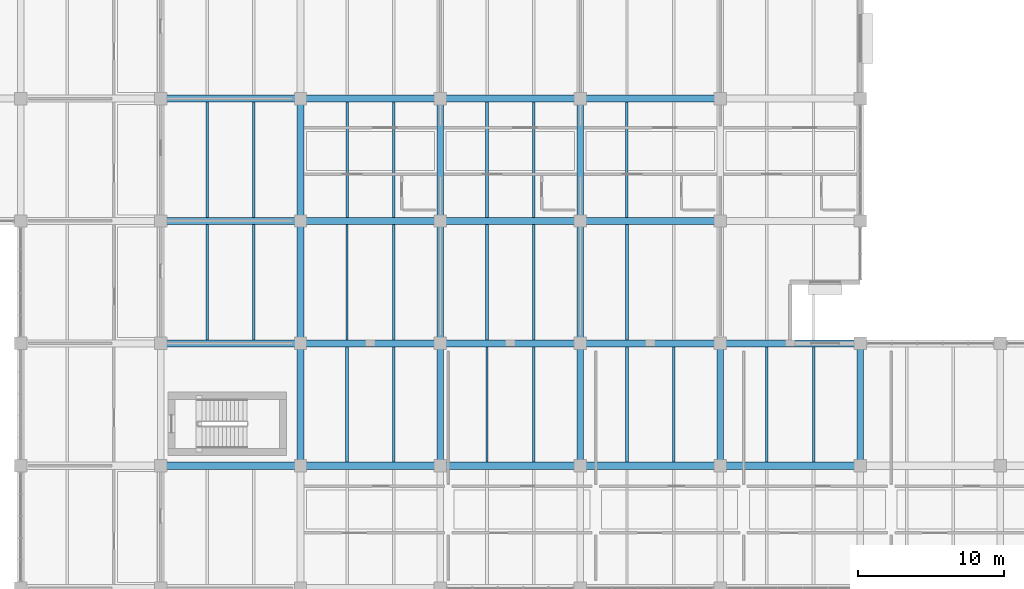
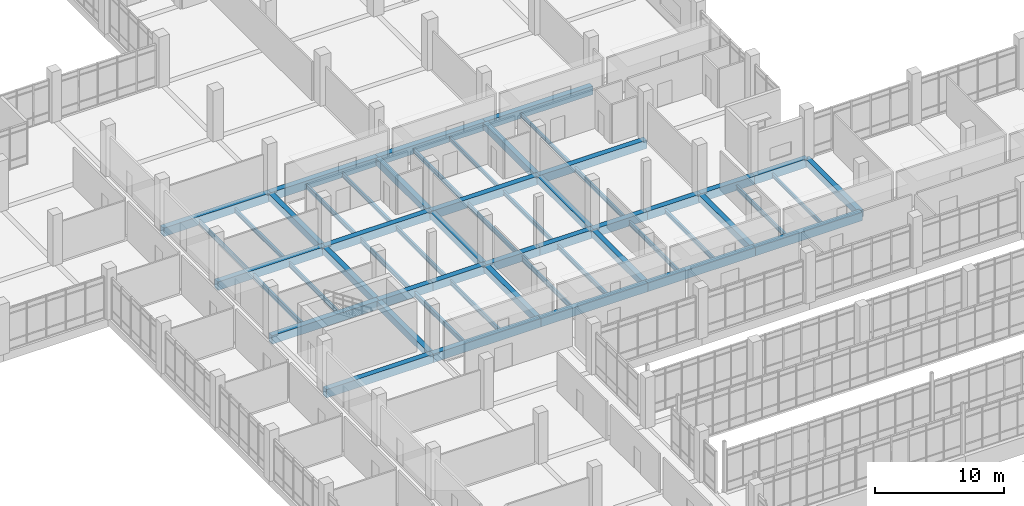
# One storey, part 65 of 152: 55 beams.
"""IFC4 building model written with IfcOpenShell, lengths in metres."""

from ifc_helpers import new_model, si_unit, direction, frame, origin, origin_2d, place, context, subcontext, project, spatial, rectangle, i_section, extrude, material, material_profile, profile_set, type_object, element, save


model = new_model("IFC4")

# Units and contexts
model_context = context("Model", 3, precision=1e-05, world=origin(), true_north=direction((0.0, 1.0)))
body_context = subcontext(model_context, "Body", "Model", "MODEL_VIEW")
ifc_project = project(units=[si_unit("LENGTHUNIT", "METRE"), si_unit("AREAUNIT", "SQUARE_METRE"), si_unit("VOLUMEUNIT", "CUBIC_METRE"), si_unit("PLANEANGLEUNIT", "RADIAN"), si_unit("MASSUNIT", "GRAM", prefix="KILO")], contexts=[model_context])

# Site, building, storey
site_placement = place(None, origin())
site = spatial("IfcSite", under=ifc_project, at=site_placement, CompositionType="ELEMENT")
building_placement = place(site_placement, origin())
building = spatial("IfcBuilding", under=site, at=building_placement, Name="Oolite Switchyard Hospital", CompositionType="ELEMENT")
storey_placement = place(building_placement, frame((0.0, 0.0, 5.10009765625)))
storey = spatial("IfcBuildingStorey", under=building, at=storey_placement, Name="L01", CompositionType="ELEMENT", Elevation=5.10009765625)

# Beams
ifc_material_1 = material(Name="Concrete C40/50", Category="concrete")
ifc_material_profile_1 = material_profile(ifc_material_1, rectangle(XDim=0.449951171875, YDim=0.64990234375, at=origin_2d()), Name="RCB450X650")
ifc_profile_set_1 = profile_set([ifc_material_profile_1], Name="Concrete C40/50")
beam_type_1 = type_object("IfcBeamType", Name="BM-RC450X650", PredefinedType="BEAM", material=ifc_profile_set_1)
beam_1_placement = place(storey_placement, frame((134.39990234375, 67.199951171875, -0.3251953125), z_axis=(0.0, 1.0, 0.0), x_axis=(-1.0, 0.0, 0.0)))
element("IfcBeam", 1, at=beam_1_placement, inside=storey, type_object=beam_type_1, Name="L01 Y-Girder 451", PredefinedType="BEAM", context=body_context, shape_type="SweptSolid", body=[
    extrude(rectangle(XDim=0.449951171875, YDim=0.64990234375, at=origin_2d()), origin(), (0.0, 0.0, 1.0), 8.400146484375),
])
for number, where, z_axis, x_axis, name in (
    (2, (134.39990234375, 75.60009765625, -0.3251953125), (0.0, 1.0, 0.0), (-1.0, 0.0, 0.0), "L01 Y-Girder 452"),
    (3, (134.39990234375, 84.0, -0.3251953125), (0.0, 1.0, 0.0), (-1.0, 0.0, 0.0), "L01 Y-Girder 453"),
):
    element("IfcBeam", number, at=place(storey_placement, frame(where, z_axis=z_axis, x_axis=x_axis)), inside=storey, type_object=beam_type_1, Name=name, PredefinedType="BEAM", context=body_context, shape_type="SweptSolid", body=[
        extrude(rectangle(XDim=0.449951171875, YDim=0.64990234375, at=origin_2d()), origin(), (0.0, 0.0, 1.0), 8.39990234375),
    ])
beam_2_placement = place(storey_placement, frame((144.0, 67.199951171875, -0.3251953125), z_axis=(0.0, 1.0, 0.0), x_axis=(-1.0, 0.0, 0.0)))
element("IfcBeam", 4, at=beam_2_placement, inside=storey, type_object=beam_type_1, Name="L01 Y-Girder 466", PredefinedType="BEAM", context=body_context, shape_type="SweptSolid", body=[
    extrude(rectangle(XDim=0.449951171875, YDim=0.64990234375, at=origin_2d()), origin(), (0.0, 0.0, 1.0), 8.400146484375),
])
for number, where, z_axis, x_axis, name in (
    (5, (144.0, 75.60009765625, -0.3251953125), (0.0, 1.0, 0.0), (-1.0, 0.0, 0.0), "L01 Y-Girder 467"),
    (6, (144.0, 84.0, -0.3251953125), (0.0, 1.0, 0.0), (-1.0, 0.0, 0.0), "L01 Y-Girder 468"),
):
    element("IfcBeam", number, at=place(storey_placement, frame(where, z_axis=z_axis, x_axis=x_axis)), inside=storey, type_object=beam_type_1, Name=name, PredefinedType="BEAM", context=body_context, shape_type="SweptSolid", body=[
        extrude(rectangle(XDim=0.449951171875, YDim=0.64990234375, at=origin_2d()), origin(), (0.0, 0.0, 1.0), 8.39990234375),
    ])
beam_3_placement = place(storey_placement, frame((153.60009765625, 67.199951171875, -0.3251953125), z_axis=(0.0, 1.0, 0.0), x_axis=(-1.0, 0.0, 0.0)))
element("IfcBeam", 7, at=beam_3_placement, inside=storey, type_object=beam_type_1, Name="L01 Y-Girder 479", PredefinedType="BEAM", context=body_context, shape_type="SweptSolid", body=[
    extrude(rectangle(XDim=0.449951171875, YDim=0.64990234375, at=origin_2d()), origin(), (0.0, 0.0, 1.0), 8.400146484375),
])
for number, where, z_axis, x_axis, name in (
    (8, (153.60009765625, 75.60009765625, -0.3251953125), (0.0, 1.0, 0.0), (-1.0, 0.0, 0.0), "L01 Y-Girder 480"),
    (9, (153.60009765625, 84.0, -0.3251953125), (0.0, 1.0, 0.0), (-1.0, 0.0, 0.0), "L01 Y-Girder 481"),
):
    element("IfcBeam", number, at=place(storey_placement, frame(where, z_axis=z_axis, x_axis=x_axis)), inside=storey, type_object=beam_type_1, Name=name, PredefinedType="BEAM", context=body_context, shape_type="SweptSolid", body=[
        extrude(rectangle(XDim=0.449951171875, YDim=0.64990234375, at=origin_2d()), origin(), (0.0, 0.0, 1.0), 8.39990234375),
    ])
for number, where, z_axis, x_axis, name in (
    (10, (163.199951171875, 67.199951171875, -0.3251953125), (0.0, 1.0, 0.0), (-1.0, 0.0, 0.0), "L01 Y-Girder 491"),
    (11, (172.800048828125, 67.199951171875, -0.3251953125), (0.0, 1.0, 0.0), (-1.0, 0.0, 0.0), "L01 Y-Girder 502"),
):
    element("IfcBeam", number, at=place(storey_placement, frame(where, z_axis=z_axis, x_axis=x_axis)), inside=storey, type_object=beam_type_1, Name=name, PredefinedType="BEAM", context=body_context, shape_type="SweptSolid", body=[
        extrude(rectangle(XDim=0.449951171875, YDim=0.64990234375, at=origin_2d()), origin(), (0.0, 0.0, 1.0), 8.400146484375),
    ])
ifc_material_profile_2 = material_profile(ifc_material_1, rectangle(XDim=0.5, YDim=0.800048828125, at=origin_2d()), Name="RCB500X800")
ifc_profile_set_2 = profile_set([ifc_material_profile_2], Name="Concrete C40/50")
beam_type_2 = type_object("IfcBeamType", Name="BM-RC500X800", PredefinedType="BEAM", material=ifc_profile_set_2)
beam_4_placement = place(storey_placement, frame((124.800048828125, 67.199951171875, -0.400146484375), z_axis=(1.0, 0.0, 0.0), x_axis=(0.0, 1.0, 0.0)))
element("IfcBeam", 12, at=beam_4_placement, inside=storey, type_object=beam_type_2, Name="L01 X-Girder 135", PredefinedType="BEAM", context=body_context, shape_type="SweptSolid", body=[
    extrude(rectangle(XDim=0.5, YDim=0.800048828125, at=origin_2d()), origin(), (0.0, 0.0, 1.0), 9.599853515625),
])
for number, where, z_axis, x_axis, name in (
    (13, (134.39990234375, 67.199951171875, -0.400146484375), (1.0, 0.0, 0.0), (0.0, 1.0, 0.0), "L01 X-Girder 136"),
    (14, (144.0, 67.199951171875, -0.400146484375), (1.0, 0.0, 0.0), (0.0, 1.0, 0.0), "L01 X-Girder 137"),
):
    element("IfcBeam", number, at=place(storey_placement, frame(where, z_axis=z_axis, x_axis=x_axis)), inside=storey, type_object=beam_type_2, Name=name, PredefinedType="BEAM", context=body_context, shape_type="SweptSolid", body=[
        extrude(rectangle(XDim=0.5, YDim=0.800048828125, at=origin_2d()), origin(), (0.0, 0.0, 1.0), 9.60009765625),
    ])
beam_5_placement = place(storey_placement, frame((153.60009765625, 67.199951171875, -0.400146484375), z_axis=(1.0, 0.0, 0.0), x_axis=(0.0, 1.0, 0.0)))
element("IfcBeam", 15, at=beam_5_placement, inside=storey, type_object=beam_type_2, Name="L01 X-Girder 138", PredefinedType="BEAM", context=body_context, shape_type="SweptSolid", body=[
    extrude(rectangle(XDim=0.5, YDim=0.800048828125, at=origin_2d()), origin(), (0.0, 0.0, 1.0), 9.599853515625),
])
beam_6_placement = place(storey_placement, frame((163.199951171875, 67.199951171875, -0.400146484375), z_axis=(1.0, 0.0, 0.0), x_axis=(0.0, 1.0, 0.0)))
element("IfcBeam", 16, at=beam_6_placement, inside=storey, type_object=beam_type_2, Name="L01 X-Girder 139", PredefinedType="BEAM", context=body_context, shape_type="SweptSolid", body=[
    extrude(rectangle(XDim=0.5, YDim=0.800048828125, at=origin_2d()), origin(), (0.0, 0.0, 1.0), 9.60009765625),
])
beam_7_placement = place(storey_placement, frame((124.800048828125, 75.60009765625, -0.400146484375), z_axis=(1.0, 0.0, 0.0), x_axis=(0.0, 1.0, 0.0)))
element("IfcBeam", 17, at=beam_7_placement, inside=storey, type_object=beam_type_2, Name="L01 X-Girder 151", PredefinedType="BEAM", context=body_context, shape_type="SweptSolid", body=[
    extrude(rectangle(XDim=0.5, YDim=0.800048828125, at=origin_2d()), origin(), (0.0, 0.0, 1.0), 9.599853515625),
])
for number, where, z_axis, x_axis, name in (
    (18, (134.39990234375, 75.60009765625, -0.400146484375), (1.0, 0.0, 0.0), (0.0, 1.0, 0.0), "L01 X-Girder 152"),
    (19, (139.199951171875, 75.60009765625, -0.400146484375), (1.0, 0.0, 0.0), (0.0, 1.0, 0.0), "L01 X-Girder 153"),
    (20, (144.0, 75.60009765625, -0.400146484375), (1.0, 0.0, 0.0), (0.0, 1.0, 0.0), "L01 X-Girder 154"),
    (21, (148.800048828125, 75.60009765625, -0.400146484375), (1.0, 0.0, 0.0), (0.0, 1.0, 0.0), "L01 X-Girder 155"),
):
    element("IfcBeam", number, at=place(storey_placement, frame(where, z_axis=z_axis, x_axis=x_axis)), inside=storey, type_object=beam_type_2, Name=name, PredefinedType="BEAM", context=body_context, shape_type="SweptSolid", body=[
        extrude(rectangle(XDim=0.5, YDim=0.800048828125, at=origin_2d()), origin(), (0.0, 0.0, 1.0), 4.800048828125),
    ])
beam_8_placement = place(storey_placement, frame((153.60009765625, 75.60009765625, -0.400146484375), z_axis=(1.0, 0.0, 0.0), x_axis=(0.0, 1.0, 0.0)))
element("IfcBeam", 22, at=beam_8_placement, inside=storey, type_object=beam_type_2, Name="L01 X-Girder 156", PredefinedType="BEAM", context=body_context, shape_type="SweptSolid", body=[
    extrude(rectangle(XDim=0.5, YDim=0.800048828125, at=origin_2d()), origin(), (0.0, 0.0, 1.0), 4.7998046875),
])
for number, where, z_axis, x_axis, name in (
    (23, (158.39990234375, 75.60009765625, -0.400146484375), (1.0, 0.0, 0.0), (0.0, 1.0, 0.0), "L01 X-Girder 157"),
    (24, (163.199951171875, 75.60009765625, -0.400146484375), (1.0, 0.0, 0.0), (0.0, 1.0, 0.0), "L01 X-Girder 158"),
    (25, (168.0, 75.60009765625, -0.400146484375), (1.0, 0.0, 0.0), (0.0, 1.0, 0.0), "L01 X-Girder 159"),
):
    element("IfcBeam", number, at=place(storey_placement, frame(where, z_axis=z_axis, x_axis=x_axis)), inside=storey, type_object=beam_type_2, Name=name, PredefinedType="BEAM", context=body_context, shape_type="SweptSolid", body=[
        extrude(rectangle(XDim=0.5, YDim=0.800048828125, at=origin_2d()), origin(), (0.0, 0.0, 1.0), 4.800048828125),
    ])
beam_9_placement = place(storey_placement, frame((124.800048828125, 84.0, -0.400146484375), z_axis=(1.0, 0.0, 0.0), x_axis=(0.0, 1.0, 0.0)))
element("IfcBeam", 26, at=beam_9_placement, inside=storey, type_object=beam_type_2, Name="L01 X-Girder 176", PredefinedType="BEAM", context=body_context, shape_type="SweptSolid", body=[
    extrude(rectangle(XDim=0.5, YDim=0.800048828125, at=origin_2d()), origin(), (0.0, 0.0, 1.0), 9.599853515625),
])
for number, where, z_axis, x_axis, name in (
    (27, (134.39990234375, 84.0, -0.400146484375), (1.0, 0.0, 0.0), (0.0, 1.0, 0.0), "L01 X-Girder 177"),
    (28, (144.0, 84.0, -0.400146484375), (1.0, 0.0, 0.0), (0.0, 1.0, 0.0), "L01 X-Girder 178"),
):
    element("IfcBeam", number, at=place(storey_placement, frame(where, z_axis=z_axis, x_axis=x_axis)), inside=storey, type_object=beam_type_2, Name=name, PredefinedType="BEAM", context=body_context, shape_type="SweptSolid", body=[
        extrude(rectangle(XDim=0.5, YDim=0.800048828125, at=origin_2d()), origin(), (0.0, 0.0, 1.0), 9.60009765625),
    ])
for number, where, z_axis, x_axis, name in (
    (29, (153.60009765625, 84.0, -0.400146484375), (1.0, 0.0, 0.0), (0.0, 1.0, 0.0), "L01 X-Girder 179"),
    (30, (124.800048828125, 92.39990234375, -0.400146484375), (1.0, 0.0, 0.0), (0.0, 1.0, 0.0), "L01 X-Girder 192"),
):
    element("IfcBeam", number, at=place(storey_placement, frame(where, z_axis=z_axis, x_axis=x_axis)), inside=storey, type_object=beam_type_2, Name=name, PredefinedType="BEAM", context=body_context, shape_type="SweptSolid", body=[
        extrude(rectangle(XDim=0.5, YDim=0.800048828125, at=origin_2d()), origin(), (0.0, 0.0, 1.0), 9.599853515625),
    ])
for number, where, z_axis, x_axis, name in (
    (31, (134.39990234375, 92.39990234375, -0.400146484375), (1.0, 0.0, 0.0), (0.0, 1.0, 0.0), "L01 X-Girder 193"),
    (32, (144.0, 92.39990234375, -0.400146484375), (1.0, 0.0, 0.0), (0.0, 1.0, 0.0), "L01 X-Girder 194"),
):
    element("IfcBeam", number, at=place(storey_placement, frame(where, z_axis=z_axis, x_axis=x_axis)), inside=storey, type_object=beam_type_2, Name=name, PredefinedType="BEAM", context=body_context, shape_type="SweptSolid", body=[
        extrude(rectangle(XDim=0.5, YDim=0.800048828125, at=origin_2d()), origin(), (0.0, 0.0, 1.0), 9.60009765625),
    ])
beam_10_placement = place(storey_placement, frame((153.60009765625, 92.39990234375, -0.400146484375), z_axis=(1.0, 0.0, 0.0), x_axis=(0.0, 1.0, 0.0)))
element("IfcBeam", 33, at=beam_10_placement, inside=storey, type_object=beam_type_2, Name="L01 X-Girder 195", PredefinedType="BEAM", context=body_context, shape_type="SweptSolid", body=[
    extrude(rectangle(XDim=0.5, YDim=0.800048828125, at=origin_2d()), origin(), (0.0, 0.0, 1.0), 9.599853515625),
])
ifc_material_2 = material(Name="Steel ASTM A992 Grade 50", Category="steel")
ifc_material_profile_3 = material_profile(ifc_material_2, i_section(OverallWidth=0.1708984375, OverallDepth=0.35107421875, WebThickness=0.007080078125, FlangeThickness=0.010009765625, at=origin_2d()), Name="W14X30")
ifc_profile_set_3 = profile_set([ifc_material_profile_3], Name="Steel ASTM A992 Grade 50")
beam_type_3 = type_object("IfcBeamType", Name="BM-W14X30", PredefinedType="JOIST", material=ifc_profile_set_3)
for number, where, z_axis, x_axis, name in (
    (34, (150.39990234375, 84.25, -0.4501953125), (0.0, 1.0, 0.0), (-1.0, 0.0, 0.0), "L01 Secondary Steel Joist 861"),
    (35, (156.800048828125, 84.25, -0.4501953125), (0.0, 1.0, 0.0), (-1.0, 0.0, 0.0), "L01 Secondary Steel Joist 882"),
):
    element("IfcBeam", number, at=place(storey_placement, frame(where, z_axis=z_axis, x_axis=x_axis)), inside=storey, type_object=beam_type_3, Name=name, PredefinedType="JOIST", context=body_context, shape_type="SweptSolid", body=[
        extrude(i_section(OverallWidth=0.1708984375, OverallDepth=0.35107421875, WebThickness=0.007080078125, FlangeThickness=0.010009765625, at=origin_2d()), origin(), (0.0, 0.0, 1.0), 7.89990234375),
    ])
beam_11_placement = place(storey_placement, frame((169.60009765625, 67.449951171875, -0.4501953125), z_axis=(0.0, 1.0, 0.0), x_axis=(-1.0, 0.0, 0.0)))
element("IfcBeam", 36, at=beam_11_placement, inside=storey, type_object=beam_type_3, Name="L01 Secondary Steel Joist 899", PredefinedType="JOIST", context=body_context, shape_type="SweptSolid", body=[
    extrude(i_section(OverallWidth=0.1708984375, OverallDepth=0.35107421875, WebThickness=0.007080078125, FlangeThickness=0.010009765625, at=origin_2d()), origin(), (0.0, 0.0, 1.0), 7.900146484375),
])
ifc_material_profile_4 = material_profile(ifc_material_2, i_section(OverallWidth=0.177978515625, OverallDepth=0.403076171875, WebThickness=0.008056640625, FlangeThickness=0.010986328125, at=origin_2d()), Name="W16X36")
ifc_profile_set_4 = profile_set([ifc_material_profile_4], Name="Steel ASTM A992 Grade 50")
beam_type_4 = type_object("IfcBeamType", Name="BM-W16X36", PredefinedType="JOIST", material=ifc_profile_set_4)
for number, where, z_axis, x_axis, name in (
    (37, (140.800048828125, 84.25, -0.47705078125), (0.0, 1.0, 0.0), (-1.0, 0.0, 0.0), "L01 Secondary Steel Joist 841"),
    (38, (150.39990234375, 75.85009765625, -0.47705078125), (0.0, 1.0, 0.0), (-1.0, 0.0, 0.0), "L01 Secondary Steel Joist 859"),
    (39, (147.199951171875, 84.25, -0.47705078125), (0.0, 1.0, 0.0), (-1.0, 0.0, 0.0), "L01 Secondary Steel Joist 860"),
):
    element("IfcBeam", number, at=place(storey_placement, frame(where, z_axis=z_axis, x_axis=x_axis)), inside=storey, type_object=beam_type_4, Name=name, PredefinedType="JOIST", context=body_context, shape_type="SweptSolid", body=[
        extrude(i_section(OverallWidth=0.177978515625, OverallDepth=0.403076171875, WebThickness=0.008056640625, FlangeThickness=0.010986328125, at=origin_2d()), origin(), (0.0, 0.0, 1.0), 7.89990234375),
    ])
beam_12_placement = place(storey_placement, frame((160.0, 67.449951171875, -0.47705078125), z_axis=(0.0, 1.0, 0.0), x_axis=(-1.0, 0.0, 0.0)))
element("IfcBeam", 40, at=beam_12_placement, inside=storey, type_object=beam_type_4, Name="L01 Secondary Steel Joist 879", PredefinedType="JOIST", context=body_context, shape_type="SweptSolid", body=[
    extrude(i_section(OverallWidth=0.177978515625, OverallDepth=0.403076171875, WebThickness=0.008056640625, FlangeThickness=0.010986328125, at=origin_2d()), origin(), (0.0, 0.0, 1.0), 7.900146484375),
])
beam_13_placement = place(storey_placement, frame((156.800048828125, 75.85009765625, -0.47705078125), z_axis=(0.0, 1.0, 0.0), x_axis=(-1.0, 0.0, 0.0)))
element("IfcBeam", 41, at=beam_13_placement, inside=storey, type_object=beam_type_4, Name="L01 Secondary Steel Joist 880", PredefinedType="JOIST", context=body_context, shape_type="SweptSolid", body=[
    extrude(i_section(OverallWidth=0.177978515625, OverallDepth=0.403076171875, WebThickness=0.008056640625, FlangeThickness=0.010986328125, at=origin_2d()), origin(), (0.0, 0.0, 1.0), 7.89990234375),
])
beam_14_placement = place(storey_placement, frame((166.39990234375, 67.449951171875, -0.47705078125), z_axis=(0.0, 1.0, 0.0), x_axis=(-1.0, 0.0, 0.0)))
element("IfcBeam", 42, at=beam_14_placement, inside=storey, type_object=beam_type_4, Name="L01 Secondary Steel Joist 898", PredefinedType="JOIST", context=body_context, shape_type="SweptSolid", body=[
    extrude(i_section(OverallWidth=0.177978515625, OverallDepth=0.403076171875, WebThickness=0.008056640625, FlangeThickness=0.010986328125, at=origin_2d()), origin(), (0.0, 0.0, 1.0), 7.900146484375),
])
ifc_material_profile_5 = material_profile(ifc_material_2, i_section(OverallWidth=0.179931640625, OverallDepth=0.4130859375, WebThickness=0.010009765625, FlangeThickness=0.01611328125, at=origin_2d()), Name="W16X50")
ifc_profile_set_5 = profile_set([ifc_material_profile_5], Name="Steel ASTM A992 Grade 50")
beam_type_5 = type_object("IfcBeamType", Name="BM-W16X50", PredefinedType="JOIST", material=ifc_profile_set_5)
for number, where, z_axis, x_axis, name in (
    (43, (131.199951171875, 84.25, -0.506103515625), (0.0, 1.0, 0.0), (-1.0, 0.0, 0.0), "L01 Secondary Steel Joist 817"),
    (44, (140.800048828125, 75.85009765625, -0.482177734375), (0.0, 1.0, 0.0), (-1.0, 0.0, 0.0), "L01 Secondary Steel Joist 839"),
    (45, (137.60009765625, 84.25, -0.482177734375), (0.0, 1.0, 0.0), (-1.0, 0.0, 0.0), "L01 Secondary Steel Joist 840"),
):
    element("IfcBeam", number, at=place(storey_placement, frame(where, z_axis=z_axis, x_axis=x_axis)), inside=storey, type_object=beam_type_5, Name=name, PredefinedType="JOIST", context=body_context, shape_type="SweptSolid", body=[
        extrude(i_section(OverallWidth=0.179931640625, OverallDepth=0.4130859375, WebThickness=0.010009765625, FlangeThickness=0.01611328125, at=origin_2d()), origin(), (0.0, 0.0, 1.0), 7.89990234375),
    ])
beam_15_placement = place(storey_placement, frame((150.39990234375, 67.449951171875, -0.482177734375), z_axis=(0.0, 1.0, 0.0), x_axis=(-1.0, 0.0, 0.0)))
element("IfcBeam", 46, at=beam_15_placement, inside=storey, type_object=beam_type_5, Name="L01 Secondary Steel Joist 857", PredefinedType="JOIST", context=body_context, shape_type="SweptSolid", body=[
    extrude(i_section(OverallWidth=0.179931640625, OverallDepth=0.4130859375, WebThickness=0.010009765625, FlangeThickness=0.01611328125, at=origin_2d()), origin(), (0.0, 0.0, 1.0), 7.900146484375),
])
beam_16_placement = place(storey_placement, frame((147.199951171875, 75.85009765625, -0.482177734375), z_axis=(0.0, 1.0, 0.0), x_axis=(-1.0, 0.0, 0.0)))
element("IfcBeam", 47, at=beam_16_placement, inside=storey, type_object=beam_type_5, Name="L01 Secondary Steel Joist 858", PredefinedType="JOIST", context=body_context, shape_type="SweptSolid", body=[
    extrude(i_section(OverallWidth=0.179931640625, OverallDepth=0.4130859375, WebThickness=0.010009765625, FlangeThickness=0.01611328125, at=origin_2d()), origin(), (0.0, 0.0, 1.0), 7.89990234375),
])
beam_17_placement = place(storey_placement, frame((156.800048828125, 67.449951171875, -0.482177734375), z_axis=(0.0, 1.0, 0.0), x_axis=(-1.0, 0.0, 0.0)))
element("IfcBeam", 48, at=beam_17_placement, inside=storey, type_object=beam_type_5, Name="L01 Secondary Steel Joist 878", PredefinedType="JOIST", context=body_context, shape_type="SweptSolid", body=[
    extrude(i_section(OverallWidth=0.179931640625, OverallDepth=0.4130859375, WebThickness=0.010009765625, FlangeThickness=0.01611328125, at=origin_2d()), origin(), (0.0, 0.0, 1.0), 7.900146484375),
])
ifc_material_profile_6 = material_profile(ifc_material_2, i_section(OverallWidth=0.153076171875, OverallDepth=0.455078125, WebThickness=0.008056640625, FlangeThickness=0.012939453125, at=origin_2d()), Name="W18X40")
ifc_profile_set_6 = profile_set([ifc_material_profile_6], Name="Steel ASTM A992 Grade 50")
beam_type_6 = type_object("IfcBeamType", Name="BM-W18X40", PredefinedType="JOIST", material=ifc_profile_set_6)
for number, where, z_axis, x_axis, name in (
    (49, (131.199951171875, 75.85009765625, -0.528076171875), (0.0, 1.0, 0.0), (-1.0, 0.0, 0.0), "L01 Secondary Steel Joist 815"),
    (50, (128.0, 84.25, -0.528076171875), (0.0, 1.0, 0.0), (-1.0, 0.0, 0.0), "L01 Secondary Steel Joist 816"),
):
    element("IfcBeam", number, at=place(storey_placement, frame(where, z_axis=z_axis, x_axis=x_axis)), inside=storey, type_object=beam_type_6, Name=name, PredefinedType="JOIST", context=body_context, shape_type="SweptSolid", body=[
        extrude(i_section(OverallWidth=0.153076171875, OverallDepth=0.455078125, WebThickness=0.008056640625, FlangeThickness=0.012939453125, at=origin_2d()), origin(), (0.0, 0.0, 1.0), 7.89990234375),
    ])
beam_18_placement = place(storey_placement, frame((140.800048828125, 67.449951171875, -0.503173828125), z_axis=(0.0, 1.0, 0.0), x_axis=(-1.0, 0.0, 0.0)))
element("IfcBeam", 51, at=beam_18_placement, inside=storey, type_object=beam_type_6, Name="L01 Secondary Steel Joist 837", PredefinedType="JOIST", context=body_context, shape_type="SweptSolid", body=[
    extrude(i_section(OverallWidth=0.153076171875, OverallDepth=0.455078125, WebThickness=0.008056640625, FlangeThickness=0.012939453125, at=origin_2d()), origin(), (0.0, 0.0, 1.0), 7.900146484375),
])
beam_19_placement = place(storey_placement, frame((137.60009765625, 75.85009765625, -0.503173828125), z_axis=(0.0, 1.0, 0.0), x_axis=(-1.0, 0.0, 0.0)))
element("IfcBeam", 52, at=beam_19_placement, inside=storey, type_object=beam_type_6, Name="L01 Secondary Steel Joist 838", PredefinedType="JOIST", context=body_context, shape_type="SweptSolid", body=[
    extrude(i_section(OverallWidth=0.153076171875, OverallDepth=0.455078125, WebThickness=0.008056640625, FlangeThickness=0.012939453125, at=origin_2d()), origin(), (0.0, 0.0, 1.0), 7.89990234375),
])
beam_20_placement = place(storey_placement, frame((147.199951171875, 67.449951171875, -0.503173828125), z_axis=(0.0, 1.0, 0.0), x_axis=(-1.0, 0.0, 0.0)))
element("IfcBeam", 53, at=beam_20_placement, inside=storey, type_object=beam_type_6, Name="L01 Secondary Steel Joist 856", PredefinedType="JOIST", context=body_context, shape_type="SweptSolid", body=[
    extrude(i_section(OverallWidth=0.153076171875, OverallDepth=0.455078125, WebThickness=0.008056640625, FlangeThickness=0.012939453125, at=origin_2d()), origin(), (0.0, 0.0, 1.0), 7.900146484375),
])
ifc_material_profile_7 = material_profile(ifc_material_2, i_section(OverallWidth=0.19091796875, OverallDepth=0.4599609375, WebThickness=0.010009765625, FlangeThickness=0.01611328125, at=origin_2d()), Name="W18X55")
ifc_profile_set_7 = profile_set([ifc_material_profile_7], Name="Steel ASTM A992 Grade 50")
beam_type_7 = type_object("IfcBeamType", Name="BM-W18X55", PredefinedType="JOIST", material=ifc_profile_set_7)
beam_21_placement = place(storey_placement, frame((128.0, 75.85009765625, -0.530029296875), z_axis=(0.0, 1.0, 0.0), x_axis=(-1.0, 0.0, 0.0)))
element("IfcBeam", 54, at=beam_21_placement, inside=storey, type_object=beam_type_7, Name="L01 Secondary Steel Joist 814", PredefinedType="JOIST", context=body_context, shape_type="SweptSolid", body=[
    extrude(i_section(OverallWidth=0.19091796875, OverallDepth=0.4599609375, WebThickness=0.010009765625, FlangeThickness=0.01611328125, at=origin_2d()), origin(), (0.0, 0.0, 1.0), 7.89990234375),
])
beam_22_placement = place(storey_placement, frame((137.60009765625, 67.449951171875, -0.505126953125), z_axis=(0.0, 1.0, 0.0), x_axis=(-1.0, 0.0, 0.0)))
element("IfcBeam", 55, at=beam_22_placement, inside=storey, type_object=beam_type_7, Name="L01 Secondary Steel Joist 836", PredefinedType="JOIST", context=body_context, shape_type="SweptSolid", body=[
    extrude(i_section(OverallWidth=0.19091796875, OverallDepth=0.4599609375, WebThickness=0.010009765625, FlangeThickness=0.01611328125, at=origin_2d()), origin(), (0.0, 0.0, 1.0), 7.900146484375),
])

save(model, "model.ifc")
